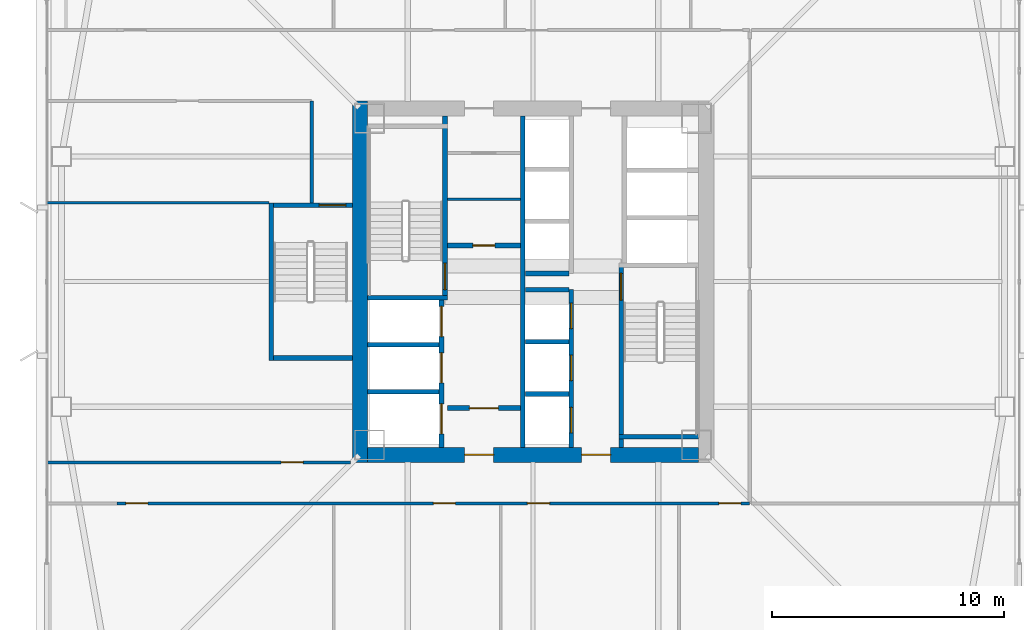
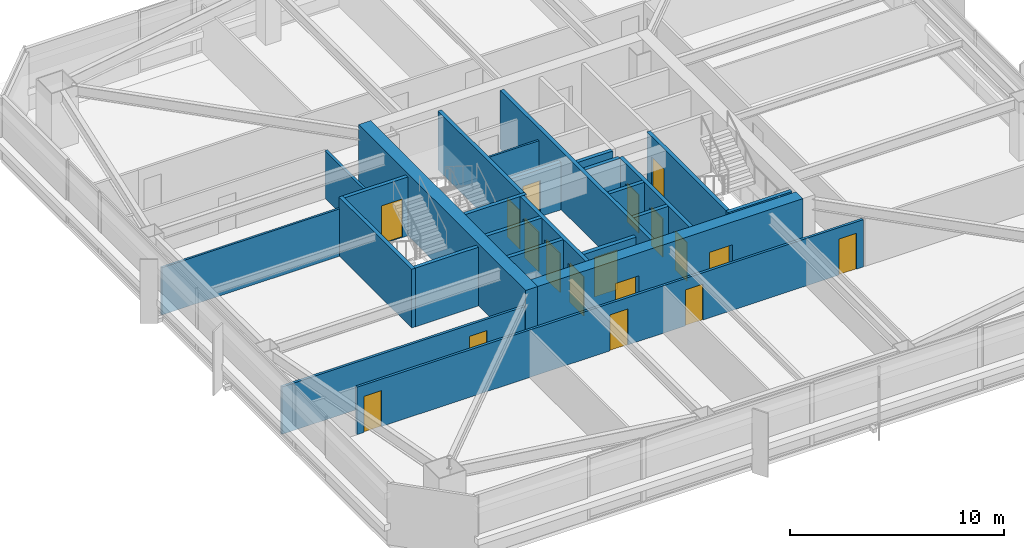
# One storey, part 36 of 49: 25 walls, 18 doors, 18 openings.
"""IFC4 building model written with IfcOpenShell, lengths in metres."""

from ifc_helpers import new_model, si_unit, direction, frame, frame_2d, origin, place, context, subcontext, project, spatial, rectangle, extrude, material, layer, layer_set, type_object, element, fill, save


model = new_model("IFC4")

# Units and contexts
model_context = context("Model", 3, precision=1e-05, world=origin(), true_north=direction((0.0, 1.0)))
body_context = subcontext(model_context, "Body", "Model", "MODEL_VIEW")
ifc_project = project(units=[si_unit("LENGTHUNIT", "METRE"), si_unit("AREAUNIT", "SQUARE_METRE"), si_unit("VOLUMEUNIT", "CUBIC_METRE"), si_unit("PLANEANGLEUNIT", "RADIAN"), si_unit("MASSUNIT", "GRAM", prefix="KILO")], contexts=[model_context])

# Site, building, storey
site_placement = place(None, origin())
site = spatial("IfcSite", under=ifc_project, at=site_placement, CompositionType="ELEMENT")
building_placement = place(site_placement, origin())
building = spatial("IfcBuilding", under=site, at=building_placement, Name="Tashvorn Skyway Center", CompositionType="ELEMENT")
storey_placement = place(building_placement, frame((0.0, 0.0, 70.75)))
storey = spatial("IfcBuildingStorey", under=building, at=storey_placement, Name="L18", CompositionType="ELEMENT", Elevation=70.75)

# Wall
ifc_material_1 = material(Name="Concrete C60/75", Category="concrete")
ifc_layer_1 = layer(ifc_material_1, 0.64990234375)
ifc_layer_set_1 = layer_set([ifc_layer_1], Name="Concrete C60/75")
wall_type_1 = type_object("IfcWallType", Name="WALL-CORE-650", PredefinedType="SHEAR", material=ifc_layer_set_1)
wall_1_placement = place(storey_placement, frame((34.52490234375, 24.199951171875, 0.0), z_axis=(0.0, 0.0, 1.0), x_axis=(0.0, 1.0, 0.0)))
element("IfcWall", 1, at=wall_1_placement, inside=storey, type_object=wall_type_1, Name="Tower 1 L18 West Core Shear Wall", PredefinedType="SHEAR", context=body_context, shape_type="SweptSolid", body=[
    extrude(rectangle(XDim=15.60009765625, YDim=0.64990234375, at=frame_2d((7.800048828125, 0.0))), origin(), (0.0, 0.0, 1.0), 3.550048828125),
])

# Wall, openings, doors
wall_2_placement = place(storey_placement, frame((49.14990234375, 24.52490234375, 0.0), z_axis=(0.0, 0.0, 1.0), x_axis=(-1.0, 0.0, 0.0)))
wall_2 = element("IfcWall", 2, at=wall_2_placement, inside=storey, type_object=wall_type_1, Name="Tower 1 L18 South Core Shear Wall", PredefinedType="SHEAR", context=body_context, shape_type="SweptSolid", body=[
    extrude(rectangle(XDim=14.2998046875, YDim=0.64990234375, at=frame_2d((7.14990234375, 0.0))), origin(), (0.0, 0.0, 1.0), 3.550048828125),
])
opening_1_placement = place(wall_2_placement, frame((8.85009765625, 0.0, 0.0)))
opening_1 = element("IfcOpeningElement", 3, at=opening_1_placement, cuts=wall_2, Name="Opening D-FFL-1250", PredefinedType="OPENING", context=body_context, shape_type="SweptSolid", body=[
    extrude(rectangle(XDim=1.25, YDim=2.25, at=frame_2d((0.625, 1.125))), frame((0.0, 0.3349609375, 0.0), z_axis=(0.0, -1.0, 0.0), x_axis=(1.0, 0.0, 0.0)), (0.0, 0.0, 1.0), 0.669921875),
])
opening_2_placement = place(wall_2_placement, frame((3.800048828125, 0.0, 0.0)))
opening_2 = element("IfcOpeningElement", 4, at=opening_2_placement, cuts=wall_2, Name="Opening D-FFL-1250", PredefinedType="OPENING", context=body_context, shape_type="SweptSolid", body=[
    extrude(rectangle(XDim=1.25, YDim=2.25, at=frame_2d((0.625, 1.125))), frame((0.0, 0.3349609375, 0.0), z_axis=(0.0, -1.0, 0.0), x_axis=(1.0, 0.0, 0.0)), (0.0, 0.0, 1.0), 0.669921875),
])
ifc_material_2 = material(Name="Hollow galvanized steel fire door assembly", Category="steel")
door_type_1 = type_object("IfcDoorType", Name="DOOR-FFL-1250", OperationType="NOTDEFINED", PredefinedType="DOOR", material=ifc_material_2)
door_1_placement = place(opening_1_placement, origin())
door_1 = element("IfcDoor", 5, at=door_1_placement, inside=storey, type_object=door_type_1, Name="Tower 1 L18 Core South Firefighting Exit Door", OperationType="SINGLE_SWING_LEFT", OverallHeight=2.25, OverallWidth=1.25, PredefinedType="DOOR", context=body_context, shape_type="SweptSolid", body=[
    extrude(rectangle(XDim=1.25, YDim=2.25, at=frame_2d((0.625, 1.125))), frame((0.0, 0.02490234375, 0.0), z_axis=(0.0, -1.0, 0.0), x_axis=(1.0, 0.0, 0.0)), (0.0, 0.0, 1.0), 0.050048828125),
])
fill(opening_1, door_1)
door_2_placement = place(opening_2_placement, origin())
door_2 = element("IfcDoor", 6, at=door_2_placement, inside=storey, type_object=door_type_1, Name="Tower 1 L18 Core South Lift Lobby Door", OperationType="SINGLE_SWING_RIGHT", OverallHeight=2.25, OverallWidth=1.25, PredefinedType="DOOR", context=body_context, shape_type="SweptSolid", body=[
    extrude(rectangle(XDim=1.25, YDim=2.25, at=frame_2d((0.625, 1.125))), frame((0.0, 0.02490234375, 0.0), z_axis=(0.0, -1.0, 0.0), x_axis=(1.0, 0.0, 0.0)), (0.0, 0.0, 1.0), 0.050048828125),
])
fill(opening_2, door_2)

# Wall, opening, door
ifc_material_3 = material(Name="Concrete C40/50", Category="concrete")
ifc_layer_2 = layer(ifc_material_3, 0.219970703125)
ifc_layer_set_2 = layer_set([ifc_layer_2], Name="Concrete C40/50")
wall_type_2 = type_object("IfcWallType", Name="WALL-FFL-220", PredefinedType="SOLIDWALL", material=ifc_layer_set_2)
wall_3_placement = place(storey_placement, frame((38.300048828125, 33.56005859375, 0.0), z_axis=(0.0, 0.0, 1.0), x_axis=(1.0, 0.0, 0.0)))
wall_3 = element("IfcWall", 7, at=wall_3_placement, inside=storey, type_object=wall_type_2, Name="Tower 1 L18 Firefighting Lobby North Wall", PredefinedType="SOLIDWALL", context=body_context, shape_type="SweptSolid", body=[
    extrude(rectangle(XDim=3.14990234375, YDim=0.219970703125, at=frame_2d((1.574951171875, 0.0))), origin(), (0.0, 0.0, 1.0), 2.702880859375),
])
opening_3_placement = place(wall_3_placement, frame((1.10009765625, 0.0, 0.0)))
opening_3 = element("IfcOpeningElement", 8, at=opening_3_placement, cuts=wall_3, Name="Opening D-RT-950", PredefinedType="OPENING", context=body_context, shape_type="SweptSolid", body=[
    extrude(rectangle(XDim=0.949951171875, YDim=2.050048828125, at=frame_2d((0.47509765625, 1.02490234375))), frame((0.0, 0.119873046875, 0.0), z_axis=(0.0, -1.0, 0.0), x_axis=(1.0, 0.0, 0.0)), (0.0, 0.0, 1.0), 0.239990234375),
])
door_type_2 = type_object("IfcDoorType", Name="DOOR-RATED-950", OperationType="NOTDEFINED", PredefinedType="DOOR", material=ifc_material_2)
door_3_placement = place(opening_3_placement, origin())
door_3 = element("IfcDoor", 9, at=door_3_placement, inside=storey, type_object=door_type_2, Name="Tower 1 L18 Core Linen Store Door", OperationType="SINGLE_SWING_LEFT", OverallHeight=2.050048828125, OverallWidth=0.949951171875, PredefinedType="DOOR", context=body_context, shape_type="SweptSolid", body=[
    extrude(rectangle(XDim=0.949951171875, YDim=2.050048828125, at=frame_2d((0.47509765625, 1.02490234375))), frame((0.0, 0.02490234375, 0.0), z_axis=(0.0, -1.0, 0.0), x_axis=(1.0, 0.0, 0.0)), (0.0, 0.0, 1.0), 0.050048828125),
])
fill(opening_3, door_3)

wall_4_placement = place(storey_placement, frame((38.300048828125, 26.5400390625, 0.0), z_axis=(0.0, 0.0, 1.0), x_axis=(1.0, 0.0, 0.0)))
wall_4 = element("IfcWall", 10, at=wall_4_placement, inside=storey, type_object=wall_type_2, Name="Tower 1 L18 Firefighting Lobby South Wall", PredefinedType="SOLIDWALL", context=body_context, shape_type="SweptSolid", body=[
    extrude(rectangle(XDim=3.14990234375, YDim=0.219970703125, at=frame_2d((1.574951171875, 0.0))), origin(), (0.0, 0.0, 1.0), 2.702880859375),
])
opening_4_placement = place(wall_4_placement, frame((0.949951171875, 0.0, 0.0)))
opening_4 = element("IfcOpeningElement", 11, at=opening_4_placement, cuts=wall_4, Name="Opening D-FFL-1250", PredefinedType="OPENING", context=body_context, shape_type="SweptSolid", body=[
    extrude(rectangle(XDim=1.25, YDim=2.25, at=frame_2d((0.625, 1.125))), frame((0.0, 0.119873046875, 0.0), z_axis=(0.0, -1.0, 0.0), x_axis=(1.0, 0.0, 0.0)), (0.0, 0.0, 1.0), 0.239990234375),
])
door_4_placement = place(opening_4_placement, origin())
door_4 = element("IfcDoor", 12, at=door_4_placement, inside=storey, type_object=door_type_1, Name="Tower 1 L18 Firefighting Lobby Egress Door", OperationType="SINGLE_SWING_LEFT", OverallHeight=2.25, OverallWidth=1.25, PredefinedType="DOOR", context=body_context, shape_type="SweptSolid", body=[
    extrude(rectangle(XDim=1.25, YDim=2.25, at=frame_2d((0.625, 1.125))), frame((0.0, 0.02490234375, 0.0), z_axis=(0.0, -1.0, 0.0), x_axis=(1.0, 0.0, 0.0)), (0.0, 0.0, 1.0), 0.050048828125),
])
fill(opening_4, door_4)

# Walls
ifc_material_4 = material(Name="Gypsum board on cold-formed steel stud framing", Category="steel")
ifc_layer_3 = layer(ifc_material_4, 0.110107421875)
ifc_layer_set_3 = layer_set([ifc_layer_3], Name="Gypsum board on cold-formed steel stud framing")
wall_type_3 = type_object("IfcWallType", Name="WALL-PART-110", PredefinedType="PARTITIONING", material=ifc_layer_set_3)
wall_5_placement = place(storey_placement, frame((30.60009765625, 35.39990234375, 0.0), z_axis=(0.0, 0.0, 1.0), x_axis=(-1.0, 0.0, 0.0)))
element("IfcWall", 13, at=wall_5_placement, inside=storey, type_object=wall_type_3, Name="Tower 1 L18 West Suite Partition 1", PredefinedType="PARTITIONING", context=body_context, shape_type="SweptSolid", body=[
    extrude(rectangle(XDim=9.580078125, YDim=0.110107421875, at=frame_2d((4.7900390625, 0.0))), origin(), (0.0, 0.0, 1.0), 2.702880859375),
])
ifc_layer_4 = layer(ifc_material_4, 0.135009765625)
ifc_layer_set_4 = layer_set([ifc_layer_4], Name="Gypsum board on cold-formed steel stud framing")
wall_type_4 = type_object("IfcWallType", Name="WALL-PART-135", PredefinedType="PARTITIONING", material=ifc_layer_set_4)
wall_6_placement = place(storey_placement, frame((32.449951171875, 35.39990234375, 0.0), z_axis=(0.0, 0.0, 1.0), x_axis=(0.0, 1.0, 0.0)))
element("IfcWall", 14, at=wall_6_placement, inside=storey, type_object=wall_type_4, Name="Tower 1 L18 Stair 3 Access Corridor Wall", PredefinedType="PARTITIONING", context=body_context, shape_type="SweptSolid", body=[
    extrude(rectangle(XDim=4.400146484375, YDim=0.135009765625, at=frame_2d((2.2001953125, 0.0))), origin(), (0.0, 0.0, 1.0), 2.702880859375),
])

# Wall, openings, doors
wall_7_placement = place(storey_placement, frame((51.35009765625, 22.429931640625, 0.0), z_axis=(0.0, 0.0, 1.0), x_axis=(-1.0, 0.0, 0.0)))
wall_7 = element("IfcWall", 15, at=wall_7_placement, inside=storey, type_object=wall_type_4, Name="Tower 1 L18 South Suite Wall", PredefinedType="PARTITIONING", context=body_context, shape_type="SweptSolid", body=[
    extrude(rectangle(XDim=27.300048828125, YDim=0.135009765625, at=frame_2d((13.64990234375, 0.0))), origin(), (0.0, 0.0, 1.0), 2.702880859375),
])
opening_5_placement = place(wall_7_placement, frame((25.969970703125, 0.0, 0.0)))
opening_5 = element("IfcOpeningElement", 16, at=opening_5_placement, cuts=wall_7, Name="Opening D-INT-950", PredefinedType="OPENING", context=body_context, shape_type="SweptSolid", body=[
    extrude(rectangle(XDim=0.949951171875, YDim=2.050048828125, at=frame_2d((0.47509765625, 1.02490234375))), frame((0.0, 0.077392578125, 0.0), z_axis=(0.0, -1.0, 0.0), x_axis=(1.0, 0.0, 0.0)), (0.0, 0.0, 1.0), 0.155029296875),
])
opening_6_placement = place(wall_7_placement, frame((12.698486328125, 0.0, 0.0)))
opening_6 = element("IfcOpeningElement", 17, at=opening_6_placement, cuts=wall_7, Name="Opening D-INT-950", PredefinedType="OPENING", context=body_context, shape_type="SweptSolid", body=[
    extrude(rectangle(XDim=0.949951171875, YDim=2.050048828125, at=frame_2d((0.47509765625, 1.02490234375))), frame((0.0, 0.077392578125, 0.0), z_axis=(0.0, -1.0, 0.0), x_axis=(1.0, 0.0, 0.0)), (0.0, 0.0, 1.0), 0.155029296875),
])
opening_7_placement = place(wall_7_placement, frame((8.638671875, 0.0, 0.0)))
opening_7 = element("IfcOpeningElement", 18, at=opening_7_placement, cuts=wall_7, Name="Opening D-INT-950", PredefinedType="OPENING", context=body_context, shape_type="SweptSolid", body=[
    extrude(rectangle(XDim=0.949951171875, YDim=2.050048828125, at=frame_2d((0.47509765625, 1.02490234375))), frame((0.0, 0.077392578125, 0.0), z_axis=(0.0, -1.0, 0.0), x_axis=(1.0, 0.0, 0.0)), (0.0, 0.0, 1.0), 0.155029296875),
])
opening_8_placement = place(wall_7_placement, frame((0.3798828125, 0.0, 0.0)))
opening_8 = element("IfcOpeningElement", 19, at=opening_8_placement, cuts=wall_7, Name="Opening D-INT-950", PredefinedType="OPENING", context=body_context, shape_type="SweptSolid", body=[
    extrude(rectangle(XDim=0.949951171875, YDim=2.050048828125, at=frame_2d((0.47509765625, 1.02490234375))), frame((0.0, 0.077392578125, 0.0), z_axis=(0.0, -1.0, 0.0), x_axis=(1.0, 0.0, 0.0)), (0.0, 0.0, 1.0), 0.155029296875),
])
ifc_material_5 = material(Name="Solid-core architectural oak veneer door")
door_type_3 = type_object("IfcDoorType", Name="DOOR-INT-950", OperationType="NOTDEFINED", PredefinedType="DOOR", material=ifc_material_5)
door_5_placement = place(opening_5_placement, origin())
door_5 = element("IfcDoor", 20, at=door_5_placement, inside=storey, type_object=door_type_3, Name="Tower 1 L18 Conference Room Door", OperationType="SINGLE_SWING_LEFT", OverallHeight=2.050048828125, OverallWidth=0.949951171875, PredefinedType="DOOR", context=body_context, shape_type="SweptSolid", body=[
    extrude(rectangle(XDim=0.949951171875, YDim=2.050048828125, at=frame_2d((0.47509765625, 1.02490234375))), frame((0.0, 0.02490234375, 0.0), z_axis=(0.0, -1.0, 0.0), x_axis=(1.0, 0.0, 0.0)), (0.0, 0.0, 1.0), 0.050048828125),
])
fill(opening_5, door_5)
door_6_placement = place(opening_6_placement, origin())
door_6 = element("IfcDoor", 21, at=door_6_placement, inside=storey, type_object=door_type_3, Name="Tower 1 L18 Boardroom Door", OperationType="SINGLE_SWING_RIGHT", OverallHeight=2.050048828125, OverallWidth=0.949951171875, PredefinedType="DOOR", context=body_context, shape_type="SweptSolid", body=[
    extrude(rectangle(XDim=0.949951171875, YDim=2.050048828125, at=frame_2d((0.47509765625, 1.02490234375))), frame((0.0, 0.02490234375, 0.0), z_axis=(0.0, -1.0, 0.0), x_axis=(1.0, 0.0, 0.0)), (0.0, 0.0, 1.0), 0.050048828125),
])
fill(opening_6, door_6)
door_7_placement = place(opening_7_placement, origin())
door_7 = element("IfcDoor", 22, at=door_7_placement, inside=storey, type_object=door_type_3, Name="Tower 1 L18 Boardroom Door", OperationType="SINGLE_SWING_LEFT", OverallHeight=2.050048828125, OverallWidth=0.949951171875, PredefinedType="DOOR", context=body_context, shape_type="SweptSolid", body=[
    extrude(rectangle(XDim=0.949951171875, YDim=2.050048828125, at=frame_2d((0.47509765625, 1.02490234375))), frame((0.0, 0.02490234375, 0.0), z_axis=(0.0, -1.0, 0.0), x_axis=(1.0, 0.0, 0.0)), (0.0, 0.0, 1.0), 0.050048828125),
])
fill(opening_7, door_7)
door_8_placement = place(opening_8_placement, origin())
door_8 = element("IfcDoor", 23, at=door_8_placement, inside=storey, type_object=door_type_3, Name="Tower 1 L18 Catering Pantry Door", OperationType="SINGLE_SWING_RIGHT", OverallHeight=2.050048828125, OverallWidth=0.949951171875, PredefinedType="DOOR", context=body_context, shape_type="SweptSolid", body=[
    extrude(rectangle(XDim=0.949951171875, YDim=2.050048828125, at=frame_2d((0.47509765625, 1.02490234375))), frame((0.0, 0.02490234375, 0.0), z_axis=(0.0, -1.0, 0.0), x_axis=(1.0, 0.0, 0.0)), (0.0, 0.0, 1.0), 0.050048828125),
])
fill(opening_8, door_8)

# Wall, opening, door
wall_8_placement = place(storey_placement, frame((21.02001953125, 24.199951171875, 0.0), z_axis=(0.0, 0.0, 1.0), x_axis=(1.0, 0.0, 0.0)))
wall_8 = element("IfcWall", 24, at=wall_8_placement, inside=storey, type_object=wall_type_4, Name="Tower 1 L18 West Suite South Wall", PredefinedType="PARTITIONING", context=body_context, shape_type="SweptSolid", body=[
    extrude(rectangle(XDim=13.10009765625, YDim=0.135009765625, at=frame_2d((6.550048828125, 0.0))), origin(), (0.0, 0.0, 1.0), 2.702880859375),
])
opening_9_placement = place(wall_8_placement, frame((10.10498046875, 0.0, 0.0)))
opening_9 = element("IfcOpeningElement", 25, at=opening_9_placement, cuts=wall_8, Name="Opening D-INT-950", PredefinedType="OPENING", context=body_context, shape_type="SweptSolid", body=[
    extrude(rectangle(XDim=0.949951171875, YDim=2.050048828125, at=frame_2d((0.47509765625, 1.02490234375))), frame((0.0, 0.077392578125, 0.0), z_axis=(0.0, -1.0, 0.0), x_axis=(1.0, 0.0, 0.0)), (0.0, 0.0, 1.0), 0.155029296875),
])
door_9_placement = place(opening_9_placement, origin())
door_9 = element("IfcDoor", 26, at=door_9_placement, inside=storey, type_object=door_type_3, Name="Tower 1 L18 Public Restroom Door", OperationType="SINGLE_SWING_RIGHT", OverallHeight=2.050048828125, OverallWidth=0.949951171875, PredefinedType="DOOR", context=body_context, shape_type="SweptSolid", body=[
    extrude(rectangle(XDim=0.949951171875, YDim=2.050048828125, at=frame_2d((0.47509765625, 1.02490234375))), frame((0.0, 0.02490234375, 0.0), z_axis=(0.0, -1.0, 0.0), x_axis=(1.0, 0.0, 0.0)), (0.0, 0.0, 1.0), 0.050048828125),
])
fill(opening_9, door_9)

# Walls
ifc_layer_5 = layer(ifc_material_4, 0.110107421875)
ifc_layer_set_5 = layer_set([ifc_layer_5], Name="Gypsum board on cold-formed steel stud framing")
wall_type_5 = type_object("IfcWallType", Name="WALL-RATED-110", PredefinedType="PARTITIONING", material=ifc_layer_set_5)
wall_9_placement = place(storey_placement, frame((38.300048828125, 35.550048828125, 0.0), z_axis=(0.0, 0.0, 1.0), x_axis=(1.0, 0.0, 0.0)))
element("IfcWall", 27, at=wall_9_placement, inside=storey, type_object=wall_type_5, Name="Tower 1 L18 Core Transverse Wall", PredefinedType="PARTITIONING", context=body_context, shape_type="SweptSolid", body=[
    extrude(rectangle(XDim=3.14990234375, YDim=0.110107421875, at=frame_2d((1.574951171875, 0.0))), origin(), (0.0, 0.0, 1.0), 2.702880859375),
])
ifc_layer_6 = layer(ifc_material_3, 0.199951171875)
ifc_layer_set_6 = layer_set([ifc_layer_6], Name="Concrete C40/50")
wall_type_6 = type_object("IfcWallType", Name="WALL-SHAFT-200", PredefinedType="SOLIDWALL", material=ifc_layer_set_6)
for number, where, z_axis, x_axis, name in (
    (28, (34.85009765625, 27.25, 0.0), (0.0, 0.0, 1.0), (1.0, 0.0, 0.0), "Tower 1 L18 FSAE Shaft Divider"),
    (29, (34.85009765625, 29.280029296875, 0.0), (0.0, 0.0, 1.0), (1.0, 0.0, 0.0), "Tower 1 L18 FSAE Shaft Divider"),
):
    element("IfcWall", number, at=place(storey_placement, frame(where, z_axis=z_axis, x_axis=x_axis)), inside=storey, type_object=wall_type_6, Name=name, PredefinedType="SOLIDWALL", context=body_context, shape_type="SweptSolid", body=[
        extrude(rectangle(XDim=3.099853515625, YDim=0.199951171875, at=frame_2d((1.5498046875, 0.0))), origin(), (0.0, 0.0, 1.0), 3.35009765625),
    ])

# Wall, openings, doors
wall_10_placement = place(storey_placement, frame((43.64990234375, 24.85009765625, 0.0), z_axis=(0.0, 0.0, 1.0), x_axis=(0.0, 1.0, 0.0)))
wall_10 = element("IfcWall", 30, at=wall_10_placement, inside=storey, type_object=wall_type_6, Name="Tower 1 L18 Low-Rise Core Wall", PredefinedType="SOLIDWALL", context=body_context, shape_type="SweptSolid", body=[
    extrude(rectangle(XDim=6.7998046875, YDim=0.199951171875, at=frame_2d((3.39990234375, 0.0))), origin(), (0.0, 0.0, 1.0), 3.35009765625),
])
opening_10_placement = place(wall_10_placement, frame((0.625, 0.0, 0.0)))
opening_10 = element("IfcOpeningElement", 31, at=opening_10_placement, cuts=wall_10, Name="Opening LD-LR-T1-1-L18", PredefinedType="OPENING", context=body_context, shape_type="SweptSolid", body=[
    extrude(rectangle(XDim=1.10009765625, YDim=2.199951171875, at=frame_2d((0.550048828125, 1.10009765625))), frame((0.0, 0.10986328125, 0.0), z_axis=(0.0, -1.0, 0.0), x_axis=(1.0, 0.0, 0.0)), (0.0, 0.0, 1.0), 0.219970703125),
])
opening_11_placement = place(wall_10_placement, frame((2.875, 0.0, 0.0)))
opening_11 = element("IfcOpeningElement", 32, at=opening_11_placement, cuts=wall_10, Name="Opening LD-LR-T1-2-L18", PredefinedType="OPENING", context=body_context, shape_type="SweptSolid", body=[
    extrude(rectangle(XDim=1.10009765625, YDim=2.199951171875, at=frame_2d((0.550048828125, 1.10009765625))), frame((0.0, 0.10986328125, 0.0), z_axis=(0.0, -1.0, 0.0), x_axis=(1.0, 0.0, 0.0)), (0.0, 0.0, 1.0), 0.219970703125),
])
opening_12_placement = place(wall_10_placement, frame((5.125, 0.0, 0.0)))
opening_12 = element("IfcOpeningElement", 33, at=opening_12_placement, cuts=wall_10, Name="Opening LD-LR-T1-3-L18", PredefinedType="OPENING", context=body_context, shape_type="SweptSolid", body=[
    extrude(rectangle(XDim=1.10009765625, YDim=2.199951171875, at=frame_2d((0.550048828125, 1.10009765625))), frame((0.0, 0.10986328125, 0.0), z_axis=(0.0, -1.0, 0.0), x_axis=(1.0, 0.0, 0.0)), (0.0, 0.0, 1.0), 0.219970703125),
])
ifc_material_6 = material(Name="Stainless steel landing door", Category="steel")
door_type_4 = type_object("IfcDoorType", Name="DOOR-LIFT-1100", OperationType="SLIDING_TO_LEFT", PredefinedType="DOOR", material=ifc_material_6)
door_10_placement = place(opening_10_placement, origin())
door_10 = element("IfcDoor", 34, at=door_10_placement, inside=storey, type_object=door_type_4, Name="Lift LR-T1-1 L18 Landing Door", OperationType="SLIDING_TO_LEFT", OverallHeight=2.199951171875, OverallWidth=1.10009765625, PredefinedType="DOOR", context=body_context, shape_type="SweptSolid", body=[
    extrude(rectangle(XDim=1.10009765625, YDim=2.199951171875, at=frame_2d((0.550048828125, 1.10009765625))), frame((0.0, 0.02490234375, 0.0), z_axis=(0.0, -1.0, 0.0), x_axis=(1.0, 0.0, 0.0)), (0.0, 0.0, 1.0), 0.050048828125),
])
fill(opening_10, door_10)
door_11_placement = place(opening_11_placement, origin())
door_11 = element("IfcDoor", 35, at=door_11_placement, inside=storey, type_object=door_type_4, Name="Lift LR-T1-2 L18 Landing Door", OperationType="SLIDING_TO_LEFT", OverallHeight=2.199951171875, OverallWidth=1.10009765625, PredefinedType="DOOR", context=body_context, shape_type="SweptSolid", body=[
    extrude(rectangle(XDim=1.10009765625, YDim=2.199951171875, at=frame_2d((0.550048828125, 1.10009765625))), frame((0.0, 0.02490234375, 0.0), z_axis=(0.0, -1.0, 0.0), x_axis=(1.0, 0.0, 0.0)), (0.0, 0.0, 1.0), 0.050048828125),
])
fill(opening_11, door_11)
door_12_placement = place(opening_12_placement, origin())
door_12 = element("IfcDoor", 36, at=door_12_placement, inside=storey, type_object=door_type_4, Name="Lift LR-T1-3 L18 Landing Door", OperationType="SLIDING_TO_LEFT", OverallHeight=2.199951171875, OverallWidth=1.10009765625, PredefinedType="DOOR", context=body_context, shape_type="SweptSolid", body=[
    extrude(rectangle(XDim=1.10009765625, YDim=2.199951171875, at=frame_2d((0.550048828125, 1.10009765625))), frame((0.0, 0.02490234375, 0.0), z_axis=(0.0, -1.0, 0.0), x_axis=(1.0, 0.0, 0.0)), (0.0, 0.0, 1.0), 0.050048828125),
])
fill(opening_12, door_12)

# Walls
for number, where, z_axis, x_axis, name in (
    (37, (41.669921875, 27.14990234375, 0.0), (0.0, 0.0, 1.0), (1.0, 0.0, 0.0), "Tower 1 L18 Low-Rise Shaft Divider"),
    (38, (41.669921875, 29.39990234375, 0.0), (0.0, 0.0, 1.0), (1.0, 0.0, 0.0), "Tower 1 L18 Low-Rise Shaft Divider"),
    (39, (41.669921875, 31.64990234375, 0.0), (0.0, 0.0, 1.0), (1.0, 0.0, 0.0), "Tower 1 L18 Low-Rise Shaft Divider"),
    (40, (41.669921875, 32.35009765625, 0.0), (0.0, 0.0, 1.0), (1.0, 0.0, 0.0), "Tower 1 L18 Mid-Rise Shaft Divider"),
):
    element("IfcWall", number, at=place(storey_placement, frame(where, z_axis=z_axis, x_axis=x_axis)), inside=storey, type_object=wall_type_6, Name=name, PredefinedType="SOLIDWALL", context=body_context, shape_type="SweptSolid", body=[
        extrude(rectangle(XDim=1.880126953125, YDim=0.199951171875, at=frame_2d((0.93994140625, 0.0))), origin(), (0.0, 0.0, 1.0), 3.35009765625),
    ])

# Wall, opening, door
ifc_layer_7 = layer(ifc_material_3, 0.199951171875)
ifc_layer_set_7 = layer_set([ifc_layer_7], Name="Concrete C40/50")
wall_type_7 = type_object("IfcWallType", Name="WALL-STSHF-200", PredefinedType="SHEAR", material=ifc_layer_set_7)
wall_11_placement = place(storey_placement, frame((38.199951171875, 31.199951171875, 0.0), z_axis=(0.0, 0.0, 1.0), x_axis=(0.0, 1.0, 0.0)))
wall_11 = element("IfcWall", 41, at=wall_11_placement, inside=storey, type_object=wall_type_7, Name="Tower 1 L18 Stair 1 Enclosure Wall", PredefinedType="SHEAR", context=body_context, shape_type="SweptSolid", body=[
    extrude(rectangle(XDim=7.949951171875, YDim=0.199951171875, at=frame_2d((3.97509765625, 0.0))), origin(), (0.0, 0.0, 1.0), 3.35009765625),
])
opening_13_placement = place(wall_11_placement, frame((0.449951171875, 0.0, 0.0)))
opening_13 = element("IfcOpeningElement", 42, at=opening_13_placement, cuts=wall_11, Name="Opening D-ST-1150", PredefinedType="OPENING", context=body_context, shape_type="SweptSolid", body=[
    extrude(rectangle(XDim=1.14990234375, YDim=2.199951171875, at=frame_2d((0.574951171875, 1.10009765625))), frame((0.0, 0.10986328125, 0.0), z_axis=(0.0, -1.0, 0.0), x_axis=(1.0, 0.0, 0.0)), (0.0, 0.0, 1.0), 0.219970703125),
])
door_type_5 = type_object("IfcDoorType", Name="DOOR-STAIR-1150", OperationType="NOTDEFINED", PredefinedType="DOOR", material=ifc_material_2)
door_13_placement = place(opening_13_placement, origin())
door_13 = element("IfcDoor", 43, at=door_13_placement, inside=storey, type_object=door_type_5, Name="Tower 1 L18 Exit Stair 1 Door", OperationType="SINGLE_SWING_RIGHT", OverallHeight=2.199951171875, OverallWidth=1.14990234375, PredefinedType="DOOR", context=body_context, shape_type="SweptSolid", body=[
    extrude(rectangle(XDim=1.14990234375, YDim=2.199951171875, at=frame_2d((0.574951171875, 1.10009765625))), frame((0.0, 0.02490234375, 0.0), z_axis=(0.0, -1.0, 0.0), x_axis=(1.0, 0.0, 0.0)), (0.0, 0.0, 1.0), 0.050048828125),
])
fill(opening_13, door_13)

# Wall
wall_12_placement = place(storey_placement, frame((34.85009765625, 31.300048828125, 0.0), z_axis=(0.0, 0.0, 1.0), x_axis=(1.0, 0.0, 0.0)))
element("IfcWall", 44, at=wall_12_placement, inside=storey, type_object=wall_type_7, Name="Tower 1 L18 Stair 1 South Wall", PredefinedType="SHEAR", context=body_context, shape_type="SweptSolid", body=[
    extrude(rectangle(XDim=3.449951171875, YDim=0.199951171875, at=frame_2d((1.72509765625, 0.0))), origin(), (0.0, 0.0, 1.0), 3.35009765625),
])

# Wall, opening, door
wall_13_placement = place(storey_placement, frame((45.800048828125, 32.800048828125, 0.0), z_axis=(0.0, 0.0, 1.0), x_axis=(0.0, -1.0, 0.0)))
wall_13 = element("IfcWall", 45, at=wall_13_placement, inside=storey, type_object=wall_type_7, Name="Tower 1 L18 Stair 2 Enclosure Wall", PredefinedType="SHEAR", context=body_context, shape_type="SweptSolid", body=[
    extrude(rectangle(XDim=7.949951171875, YDim=0.199951171875, at=frame_2d((3.97509765625, 0.0))), origin(), (0.0, 0.0, 1.0), 3.35009765625),
])
opening_14_placement = place(wall_13_placement, frame((0.449951171875, 0.0, 0.0)))
opening_14 = element("IfcOpeningElement", 46, at=opening_14_placement, cuts=wall_13, Name="Opening D-ST-1150", PredefinedType="OPENING", context=body_context, shape_type="SweptSolid", body=[
    extrude(rectangle(XDim=1.14990234375, YDim=2.199951171875, at=frame_2d((0.574951171875, 1.10009765625))), frame((0.0, 0.10986328125, 0.0), z_axis=(0.0, -1.0, 0.0), x_axis=(1.0, 0.0, 0.0)), (0.0, 0.0, 1.0), 0.219970703125),
])
door_14_placement = place(opening_14_placement, origin())
door_14 = element("IfcDoor", 47, at=door_14_placement, inside=storey, type_object=door_type_5, Name="Tower 1 L18 Exit Stair 2 Door", OperationType="SINGLE_SWING_RIGHT", OverallHeight=2.199951171875, OverallWidth=1.14990234375, PredefinedType="DOOR", context=body_context, shape_type="SweptSolid", body=[
    extrude(rectangle(XDim=1.14990234375, YDim=2.199951171875, at=frame_2d((0.574951171875, 1.10009765625))), frame((0.0, 0.02490234375, 0.0), z_axis=(0.0, -1.0, 0.0), x_axis=(1.0, 0.0, 0.0)), (0.0, 0.0, 1.0), 0.050048828125),
])
fill(opening_14, door_14)

# Walls
wall_14_placement = place(storey_placement, frame((45.699951171875, 25.300048828125, 0.0), z_axis=(0.0, 0.0, 1.0), x_axis=(1.0, 0.0, 0.0)))
element("IfcWall", 48, at=wall_14_placement, inside=storey, type_object=wall_type_7, Name="Tower 1 L18 Stair 2 South Wall", PredefinedType="SHEAR", context=body_context, shape_type="SweptSolid", body=[
    extrude(rectangle(XDim=3.449951171875, YDim=0.199951171875, at=frame_2d((1.72509765625, 0.0))), origin(), (0.0, 0.0, 1.0), 3.35009765625),
])
wall_15_placement = place(storey_placement, frame((41.56005859375, 24.85009765625, 0.0), z_axis=(0.0, 0.0, 1.0), x_axis=(0.0, 1.0, 0.0)))
element("IfcWall", 49, at=wall_15_placement, inside=storey, type_object=wall_type_7, Name="Tower 1 L18 Firefighting Lobby East Smoke Barrier", PredefinedType="SHEAR", context=body_context, shape_type="SweptSolid", body=[
    extrude(rectangle(XDim=14.2998046875, YDim=0.199951171875, at=frame_2d((7.14990234375, 0.0))), origin(), (0.0, 0.0, 1.0), 3.35009765625),
])

# Wall, openings, doors
wall_16_placement = place(storey_placement, frame((38.050048828125, 24.85009765625, 0.0), z_axis=(0.0, 0.0, 1.0), x_axis=(0.0, 1.0, 0.0)))
wall_16 = element("IfcWall", 50, at=wall_16_placement, inside=storey, type_object=wall_type_7, Name="Tower 1 L18 FSAE and Goods Shaft Front Wall", PredefinedType="SHEAR", context=body_context, shape_type="SweptSolid", body=[
    extrude(rectangle(XDim=6.349853515625, YDim=0.199951171875, at=frame_2d((3.1748046875, 0.0))), origin(), (0.0, 0.0, 1.0), 3.35009765625),
])
opening_15_placement = place(wall_16_placement, frame((4.77490234375, 0.0, 0.0)))
opening_15 = element("IfcOpeningElement", 51, at=opening_15_placement, cuts=wall_16, Name="Opening LD-FF-T1-1-L18", PredefinedType="OPENING", context=body_context, shape_type="SweptSolid", body=[
    extrude(rectangle(XDim=1.300048828125, YDim=2.25, at=frame_2d((0.64990234375, 1.125))), frame((0.0, 0.10986328125, 0.0), z_axis=(0.0, -1.0, 0.0), x_axis=(1.0, 0.0, 0.0)), (0.0, 0.0, 1.0), 0.219970703125),
])
opening_16_placement = place(wall_16_placement, frame((2.77490234375, 0.0, 0.0)))
opening_16 = element("IfcOpeningElement", 52, at=opening_16_placement, cuts=wall_16, Name="Opening LD-FF-T1-2-L18", PredefinedType="OPENING", context=body_context, shape_type="SweptSolid", body=[
    extrude(rectangle(XDim=1.300048828125, YDim=2.25, at=frame_2d((0.64990234375, 1.125))), frame((0.0, 0.10986328125, 0.0), z_axis=(0.0, -1.0, 0.0), x_axis=(1.0, 0.0, 0.0)), (0.0, 0.0, 1.0), 0.219970703125),
])
opening_17_placement = place(wall_16_placement, frame((0.574951171875, 0.0, 0.0)))
opening_17 = element("IfcOpeningElement", 53, at=opening_17_placement, cuts=wall_16, Name="Opening LD-GD-T1-1-L18", PredefinedType="OPENING", context=body_context, shape_type="SweptSolid", body=[
    extrude(rectangle(XDim=1.300048828125, YDim=2.25, at=frame_2d((0.64990234375, 1.125))), frame((0.0, 0.10986328125, 0.0), z_axis=(0.0, -1.0, 0.0), x_axis=(1.0, 0.0, 0.0)), (0.0, 0.0, 1.0), 0.219970703125),
])
ifc_material_7 = material(Name="Stainless steel heavy-duty landing door", Category="steel")
door_type_6 = type_object("IfcDoorType", Name="DOOR-LIFT-1300", OperationType="SLIDING_TO_LEFT", PredefinedType="DOOR", material=ifc_material_7)
door_15_placement = place(opening_15_placement, origin())
door_15 = element("IfcDoor", 54, at=door_15_placement, inside=storey, type_object=door_type_6, Name="Lift FF-T1-1 L18 Landing Door", OperationType="SLIDING_TO_LEFT", OverallHeight=2.25, OverallWidth=1.300048828125, PredefinedType="DOOR", context=body_context, shape_type="SweptSolid", body=[
    extrude(rectangle(XDim=1.300048828125, YDim=2.25, at=frame_2d((0.64990234375, 1.125))), frame((0.0, 0.02490234375, 0.0), z_axis=(0.0, -1.0, 0.0), x_axis=(1.0, 0.0, 0.0)), (0.0, 0.0, 1.0), 0.050048828125),
])
fill(opening_15, door_15)
door_16_placement = place(opening_16_placement, origin())
door_16 = element("IfcDoor", 55, at=door_16_placement, inside=storey, type_object=door_type_6, Name="Lift FF-T1-2 L18 Landing Door", OperationType="SLIDING_TO_LEFT", OverallHeight=2.25, OverallWidth=1.300048828125, PredefinedType="DOOR", context=body_context, shape_type="SweptSolid", body=[
    extrude(rectangle(XDim=1.300048828125, YDim=2.25, at=frame_2d((0.64990234375, 1.125))), frame((0.0, 0.02490234375, 0.0), z_axis=(0.0, -1.0, 0.0), x_axis=(1.0, 0.0, 0.0)), (0.0, 0.0, 1.0), 0.050048828125),
])
fill(opening_16, door_16)
door_17_placement = place(opening_17_placement, origin())
door_17 = element("IfcDoor", 56, at=door_17_placement, inside=storey, type_object=door_type_6, Name="Lift GD-T1-1 L18 Landing Door", OperationType="SLIDING_TO_LEFT", OverallHeight=2.25, OverallWidth=1.300048828125, PredefinedType="DOOR", context=body_context, shape_type="SweptSolid", body=[
    extrude(rectangle(XDim=1.300048828125, YDim=2.25, at=frame_2d((0.64990234375, 1.125))), frame((0.0, 0.02490234375, 0.0), z_axis=(0.0, -1.0, 0.0), x_axis=(1.0, 0.0, 0.0)), (0.0, 0.0, 1.0), 0.050048828125),
])
fill(opening_17, door_17)

# Wall
wall_17_placement = place(storey_placement, frame((30.699951171875, 28.60009765625, 0.0), z_axis=(0.0, 0.0, 1.0), x_axis=(0.0, 1.0, 0.0)))
element("IfcWall", 57, at=wall_17_placement, inside=storey, type_object=wall_type_7, Name="Tower 1 L18 Stair 3 Outer Wall", PredefinedType="SHEAR", context=body_context, shape_type="SweptSolid", body=[
    extrude(rectangle(XDim=6.7998046875, YDim=0.199951171875, at=frame_2d((3.39990234375, 0.0))), origin(), (0.0, 0.0, 1.0), 3.35009765625),
])

# Wall, opening, door
wall_18_placement = place(storey_placement, frame((34.199951171875, 35.300048828125, 0.0), z_axis=(0.0, 0.0, 1.0), x_axis=(-1.0, 0.0, 0.0)))
wall_18 = element("IfcWall", 58, at=wall_18_placement, inside=storey, type_object=wall_type_7, Name="Tower 1 L18 Stair 3 Enclosure Wall", PredefinedType="SHEAR", context=body_context, shape_type="SweptSolid", body=[
    extrude(rectangle(XDim=3.39990234375, YDim=0.199951171875, at=frame_2d((1.699951171875, 0.0))), origin(), (0.0, 0.0, 1.0), 3.35009765625),
])
opening_18_placement = place(wall_18_placement, frame((0.27490234375, 0.0, 0.0)))
opening_18 = element("IfcOpeningElement", 59, at=opening_18_placement, cuts=wall_18, Name="Opening D-ST-1150", PredefinedType="OPENING", context=body_context, shape_type="SweptSolid", body=[
    extrude(rectangle(XDim=1.14990234375, YDim=2.199951171875, at=frame_2d((0.574951171875, 1.10009765625))), frame((0.0, 0.10986328125, 0.0), z_axis=(0.0, -1.0, 0.0), x_axis=(1.0, 0.0, 0.0)), (0.0, 0.0, 1.0), 0.219970703125),
])
door_18_placement = place(opening_18_placement, origin())
door_18 = element("IfcDoor", 60, at=door_18_placement, inside=storey, type_object=door_type_5, Name="Tower 1 L18 Exit Stair 3 Door", OperationType="SINGLE_SWING_RIGHT", OverallHeight=2.199951171875, OverallWidth=1.14990234375, PredefinedType="DOOR", context=body_context, shape_type="SweptSolid", body=[
    extrude(rectangle(XDim=1.14990234375, YDim=2.199951171875, at=frame_2d((0.574951171875, 1.10009765625))), frame((0.0, 0.02490234375, 0.0), z_axis=(0.0, -1.0, 0.0), x_axis=(1.0, 0.0, 0.0)), (0.0, 0.0, 1.0), 0.050048828125),
])
fill(opening_18, door_18)

# Wall
wall_19_placement = place(storey_placement, frame((30.800048828125, 28.699951171875, 0.0), z_axis=(0.0, 0.0, 1.0), x_axis=(1.0, 0.0, 0.0)))
element("IfcWall", 61, at=wall_19_placement, inside=storey, type_object=wall_type_7, Name="Tower 1 L18 Stair 3 South Wall", PredefinedType="SHEAR", context=body_context, shape_type="SweptSolid", body=[
    extrude(rectangle(XDim=3.39990234375, YDim=0.199951171875, at=frame_2d((1.699951171875, 0.0))), origin(), (0.0, 0.0, 1.0), 3.35009765625),
])

save(model, "model.ifc")
